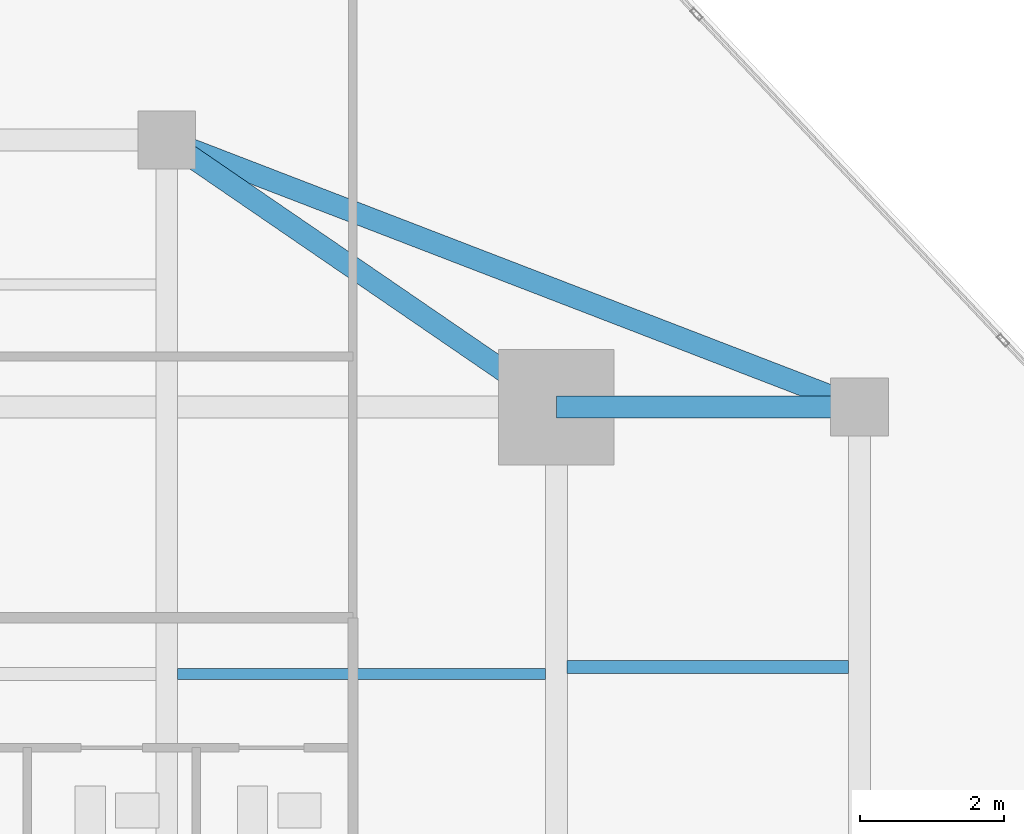
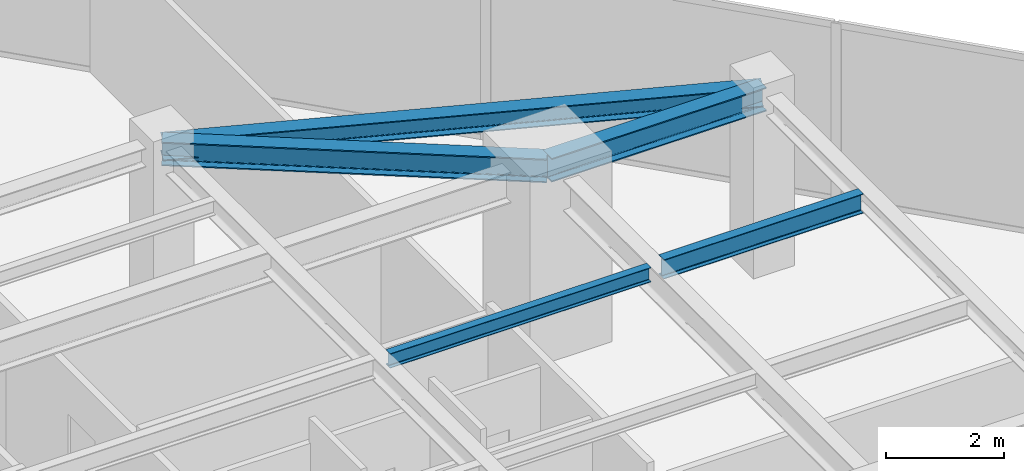
# One storey, part 17 of 24: 5 beams.
"""IFC4 building model written with IfcOpenShell, lengths in metres."""

import ifcopenshell
import ifcopenshell.guid

model = None  # the IFC model being written
_history = None  # IfcOwnerHistory: only IFC2X3 demands one
_inside = {}  # id of a spatial element -> (the spatial element, [elements in it])
_under = {}  # id of a project, library or spatial element -> (it, [spatial elements below it])
_declared = {}  # id of a project -> (the project, [libraries it declares])
_typed = {}  # id of a type object -> (the type object, [elements of that type])
_made_of = {}  # id of a material, layer set ... -> (it, [elements and type objects made of it])


def new_model(schema):
    """Start an empty IFC model of exactly this schema.

    Asked for "IFC4X3", IfcOpenShell would pick the latest addendum, in which some entities
    have other attributes; the version numbers below select the first issue.
    IFC2X3 requires an IfcOwnerHistory on every rooted entity: one is made here for all.
    """
    global model, _history
    if schema == "IFC4X3":
        model = ifcopenshell.file(schema_version=(4, 3, 0, 0))
    else:
        model = ifcopenshell.file(schema=schema)
    _inside.clear()
    _under.clear()
    _declared.clear()
    _typed.clear()
    _made_of.clear()
    _history = None
    if model.schema == "IFC2X3":
        org = make("IfcOrganization", Name="unknown")
        user = make(
            "IfcPersonAndOrganization",
            ThePerson=make("IfcPerson", FamilyName="unknown"),
            TheOrganization=org,
        )
        app = make(
            "IfcApplication",
            ApplicationDeveloper=org,
            Version="unknown",
            ApplicationFullName="unknown",
            ApplicationIdentifier="unknown",
        )
        _history = make(
            "IfcOwnerHistory",
            OwningUser=user,
            OwningApplication=app,
            ChangeAction="ADDED",
            CreationDate=0,
        )
    return model


def make(cls, **values):
    """One entity of the class cls with the attributes given. An attribute that is None is left unset."""
    return model.create_entity(
        cls, **{name: value for name, value in values.items() if value is not None}
    )


def rooted(cls, **values):
    """An entity with a GlobalId (a new one), such as an element, a storey or a relation."""
    return make(cls, GlobalId=ifcopenshell.guid.new(), OwnerHistory=_history, **values)


def si_unit(unit_type, name, prefix=None):
    """IfcSIUnit, for example si_unit("LENGTHUNIT", "METRE", prefix="MILLI")."""
    return make("IfcSIUnit", UnitType=unit_type, Prefix=prefix, Name=name)


def assignment(units):
    """IfcUnitAssignment: the units of a project."""
    return None if units is None else make("IfcUnitAssignment", Units=units)


def point(xyz):
    """IfcCartesianPoint."""
    return None if xyz is None else make("IfcCartesianPoint", Coordinates=xyz)


def direction(xyz):
    """IfcDirection."""
    return None if xyz is None else make("IfcDirection", DirectionRatios=xyz)


def frame(location, z_axis=None, x_axis=None):
    """IfcAxis2Placement3D, a coordinate frame: its origin and axes. An axis left out is left unset."""
    return make(
        "IfcAxis2Placement3D",
        Location=point(location),
        Axis=direction(z_axis),
        RefDirection=direction(x_axis),
    )


def frame_2d(location, x_axis=None):
    """IfcAxis2Placement2D, a coordinate frame in the plane: its origin and x axis."""
    return make(
        "IfcAxis2Placement2D", Location=point(location), RefDirection=direction(x_axis)
    )


def origin():
    """The frame at (0, 0, 0) with its axes left unset."""
    return frame((0.0, 0.0, 0.0))


def origin_2d():
    """The frame at (0, 0) in the plane with its x axis left unset."""
    return frame_2d((0.0, 0.0))


def place(relative_to, where):
    """IfcLocalPlacement: puts the frame where relative to a parent placement (None: the world)."""
    return make(
        "IfcLocalPlacement", PlacementRelTo=relative_to, RelativePlacement=where
    )


def context(
    kind, dimensions, precision=None, world=None, true_north=None, identifier=None
):
    """IfcGeometricRepresentationContext, for example the 3D "Model" context."""
    return make(
        "IfcGeometricRepresentationContext",
        ContextIdentifier=identifier,
        ContextType=kind,
        CoordinateSpaceDimension=dimensions,
        Precision=precision,
        WorldCoordinateSystem=world,
        TrueNorth=true_north,
    )


def subcontext(parent, identifier, kind, view, scale=None):
    """IfcGeometricRepresentationSubContext, for example "Body" below "Model"."""
    return make(
        "IfcGeometricRepresentationSubContext",
        ContextIdentifier=identifier,
        ContextType=kind,
        ParentContext=parent,
        TargetScale=scale,
        TargetView=view,
    )


def project(units=None, contexts=None):
    """IfcProject with its units and contexts."""
    return rooted(
        "IfcProject",
        Name="project",
        RepresentationContexts=contexts,
        UnitsInContext=assignment(units),
    )


def spatial(cls, under=None, at=None, **own):
    """A site, building, storey or space (cls), placed at a placement, below another one or the project."""
    s = rooted(cls, ObjectPlacement=at, **own)
    if under is not None:
        _under.setdefault(under.id(), (under, []))[1].append(s)
    return s


def profile(cls, at=None, kind="AREA", **sizes):
    """A parametric profile (cls). Its sizes go by their IFC names, for example OverallWidth=200.0."""
    return make(cls, ProfileType=kind, Position=at, **sizes)


def i_section(**sizes):
    """IfcIShapeProfileDef."""
    return profile("IfcIShapeProfileDef", **sizes)


def extrude(swept, where, along, depth):
    """IfcExtrudedAreaSolid: the profile swept, set in the frame where, extruded along a direction by depth."""
    return make(
        "IfcExtrudedAreaSolid",
        SweptArea=swept,
        Position=where,
        ExtrudedDirection=direction(along),
        Depth=depth,
    )


def shape(context_of_items, identifier, shape_type, items):
    """IfcShapeRepresentation: the items that make up one representation, for example the "Body"."""
    return make(
        "IfcShapeRepresentation",
        ContextOfItems=context_of_items,
        RepresentationIdentifier=identifier,
        RepresentationType=shape_type,
        Items=items,
    )


def source(mapping_origin, context_of_items, identifier, shape_type, items):
    """IfcRepresentationMap: a shape defined once, which mapped items show again and again."""
    return make(
        "IfcRepresentationMap",
        MappingOrigin=mapping_origin,
        MappedRepresentation=shape(context_of_items, identifier, shape_type, items),
    )


def transform(
    local_origin,
    x_axis=None,
    y_axis=None,
    z_axis=None,
    scale=None,
    scale2=None,
    scale3=None,
    uniform=True,
):
    """IfcCartesianTransformationOperator3D, or its non-uniform kind. x_axis, y_axis, z_axis: its Axis1, 2, 3."""
    if uniform:
        return make(
            "IfcCartesianTransformationOperator3D",
            Axis1=direction(x_axis),
            Axis2=direction(y_axis),
            LocalOrigin=point(local_origin),
            Scale=scale,
            Axis3=direction(z_axis),
        )
    return make(
        "IfcCartesianTransformationOperator3DnonUniform",
        Axis1=direction(x_axis),
        Axis2=direction(y_axis),
        LocalOrigin=point(local_origin),
        Scale=scale,
        Axis3=direction(z_axis),
        Scale2=scale2,
        Scale3=scale3,
    )


def mapped(mapping_source, mapping_target):
    """IfcMappedItem: shows the shape of a source again, moved by a transform."""
    return make(
        "IfcMappedItem", MappingSource=mapping_source, MappingTarget=mapping_target
    )


def material(Name=None, Category=None):
    """IfcMaterial."""
    return make("IfcMaterial", Name=Name, Category=Category)


def material_profile(
    of_material, cross_section, Name=None, Category=None, Priority=None
):
    """IfcMaterialProfile: a cross section and its material."""
    return make(
        "IfcMaterialProfile",
        Name=Name,
        Material=of_material,
        Profile=cross_section,
        Priority=Priority,
        Category=Category,
    )


def profile_set(profiles, Name=None, composite=None):
    """IfcMaterialProfileSet."""
    return make(
        "IfcMaterialProfileSet",
        Name=Name,
        MaterialProfiles=profiles,
        CompositeProfile=composite,
    )


def made_of(thing, what):
    """Note that an element or type object is made of a material, layer set ...; save() writes the relation."""
    if what is not None:
        _made_of.setdefault(what.id(), (what, []))[1].append(thing)
    return thing


def type_object(cls, material=None, **own):
    """A type object (cls), such as IfcWallType, which elements share."""
    return made_of(rooted(cls, **own), material)


def type_shapes(of_type, sources):
    """Give a type object the sources (RepresentationMaps) that its elements show as mapped items."""
    of_type.RepresentationMaps = sources


def element(
    cls,
    number,
    at=None,
    inside=None,
    cuts=None,
    type_object=None,
    material=None,
    context=None,
    identifier="Body",
    shape_type=None,
    held_by="IfcProductDefinitionShape",
    body=None,
    shapes=None,
    **own,
):
    """One element of the class cls, such as IfcWall. Its Tag is "e" and its number.

    at: its placement. inside: the storey or other place that contains it. cuts: it is an
    opening in that element (IfcRelVoidsElement). A single representation is given by context,
    identifier, shape_type and body (its items); several are given by shapes. held_by: the class
    of the entity that holds the representations. save() writes the other relations.
    """
    e = rooted(cls, Tag="e%d" % number, ObjectPlacement=at, **own)
    if body is not None:
        shapes = [shape(context, identifier, shape_type, body)]
    if shapes is not None:
        e.Representation = make(held_by, Representations=shapes)
    if inside is not None:
        _inside.setdefault(inside.id(), (inside, []))[1].append(e)
    if cuts is not None:
        rooted(
            "IfcRelVoidsElement", RelatingBuildingElement=cuts, RelatedOpeningElement=e
        )
    if type_object is not None:
        _typed.setdefault(type_object.id(), (type_object, []))[1].append(e)
    return made_of(e, material)


def aggregate(whole, parts):
    """IfcRelAggregates: a whole, such as a stair, and the parts it consists of."""
    return rooted("IfcRelAggregates", RelatingObject=whole, RelatedObjects=parts)


def save(model, path):
    """Write the relations noted so far, then the file.

    IfcRelAggregates (storeys below a building ...), IfcRelContainedInSpatialStructure (elements
    in a storey), IfcRelDefinesByType, IfcRelAssociatesMaterial and IfcRelDeclares: one each for
    every whole, place, type object, material and project.
    """
    for whole, parts in _under.values():
        aggregate(whole, parts)
    for where, things in _inside.values():
        rooted(
            "IfcRelContainedInSpatialStructure",
            RelatedElements=things,
            RelatingStructure=where,
        )
    for kind, things in _typed.values():
        rooted("IfcRelDefinesByType", RelatedObjects=things, RelatingType=kind)
    for what, things in _made_of.values():
        rooted("IfcRelAssociatesMaterial", RelatedObjects=things, RelatingMaterial=what)
    for by, libraries in _declared.values():
        rooted("IfcRelDeclares", RelatingContext=by, RelatedDefinitions=libraries)
    model.write(path)


model = new_model("IFC4")

# Units and contexts
model_context = context("Model", 3, precision=1e-05, world=origin(), true_north=direction((0.0, 1.0)))
body_context = subcontext(model_context, "Body", "Model", "MODEL_VIEW")
ifc_project = project(units=[si_unit("LENGTHUNIT", "METRE"), si_unit("AREAUNIT", "SQUARE_METRE"), si_unit("VOLUMEUNIT", "CUBIC_METRE"), si_unit("PLANEANGLEUNIT", "RADIAN"), si_unit("MASSUNIT", "GRAM", prefix="KILO")], contexts=[model_context])

# Site, building, storey
site_placement = place(None, origin())
site = spatial("IfcSite", under=ifc_project, at=site_placement, CompositionType="ELEMENT")
building_placement = place(site_placement, origin())
building = spatial("IfcBuilding", under=site, at=building_placement, Name="Krantzveldt Concourse Tower", CompositionType="ELEMENT")
storey_placement = place(building_placement, frame((0.0, 0.0, 246.800048828125)))
storey = spatial("IfcBuildingStorey", under=building, at=storey_placement, Name="L60", CompositionType="ELEMENT", Elevation=246.800048828125)

# Beams
ifc_material = material(Name="Steel S355JR", Category="steel")
ifc_material_profile_1 = material_profile(ifc_material, i_section(OverallWidth=0.300048828125, OverallDepth=0.389892578125, WebThickness=0.010986328125, FlangeThickness=0.01904296875, FilletRadius=0.027099609375, at=origin_2d()), Name="Steel S355JR", Category="steel")
ifc_profile_set_1 = profile_set([ifc_material_profile_1], Name="Steel S355JR - HEA 400")
beam_type_1 = type_object("IfcBeamType", Name="BM-SP-HEA400", PredefinedType="SPANDREL", material=ifc_profile_set_1)
shared_shape_1 = source(origin(), body_context, "Body", "SweptSolid", [
    extrude(i_section(OverallWidth=0.300048828125, OverallDepth=0.389892578125, WebThickness=0.010986328125, FlangeThickness=0.01904296875, FilletRadius=0.027099609375, at=origin_2d()), origin(), (0.0, 0.0, 1.0), 10.288330078125),
])
type_shapes(beam_type_1, [shared_shape_1])
beam_1_placement = place(storey_placement, frame((41.39990234375, 41.199951171875, 3.474853515625), z_axis=(0.933097690408, -0.359622997257, 0.0), x_axis=(0.359622997257, 0.933097690408, 0.0)))
element("IfcBeam", 1, at=beam_1_placement, inside=storey, type_object=beam_type_1, Name="L60 Tower Girder SP-R05", PredefinedType="SPANDREL", context=body_context, shape_type="MappedRepresentation", body=[
    mapped(shared_shape_1, transform((0.0, 0.0, 0.0), x_axis=(1.0, 0.0, 0.0), y_axis=(0.0, 1.0, 0.0), z_axis=(0.0, 0.0, 1.0), scale=1.0)),
])
ifc_material_profile_2 = material_profile(ifc_material, i_section(OverallWidth=0.300048828125, OverallDepth=0.489990234375, WebThickness=0.011962890625, FlangeThickness=0.02294921875, FilletRadius=0.027099609375, at=origin_2d()), Name="Steel S355JR", Category="steel")
ifc_profile_set_2 = profile_set([ifc_material_profile_2], Name="Steel S355JR - HEA 500")
beam_type_2 = type_object("IfcBeamType", Name="BM-B-HEA500", PredefinedType="BEAM", material=ifc_profile_set_2)
shared_shape_2 = source(origin(), body_context, "Body", "SweptSolid", [
    extrude(i_section(OverallWidth=0.300048828125, OverallDepth=0.489990234375, WebThickness=0.011962890625, FlangeThickness=0.02294921875, FilletRadius=0.027099609375, at=origin_2d()), origin(), (0.0, 0.0, 1.0), 4.199951171875),
])
beam_2_placement = place(storey_placement, frame((46.800048828125, 37.5, 3.425048828125), z_axis=(1.0, 0.0, 0.0), x_axis=(0.0, 1.0, 0.0)))
element("IfcBeam", 2, at=beam_2_placement, inside=storey, type_object=beam_type_2, Name="L60 Tower Girder BR-RR3", PredefinedType="BEAM", context=body_context, shape_type="MappedRepresentation", body=[
    mapped(shared_shape_2, transform((0.0, 0.0, 0.0), x_axis=(1.0, 0.0, 0.0), y_axis=(0.0, 1.0, 0.0), z_axis=(0.0, 0.0, 1.0), scale=1.0)),
])
shared_shape_3 = source(origin(), body_context, "Body", "SweptSolid", [
    extrude(i_section(OverallWidth=0.300048828125, OverallDepth=0.489990234375, WebThickness=0.011962890625, FlangeThickness=0.02294921875, FilletRadius=0.027099609375, at=origin_2d()), origin(), (0.0, 0.0, 1.0), 6.546142578125),
])
type_shapes(beam_type_2, [shared_shape_2, shared_shape_3])
beam_3_placement = place(storey_placement, frame((46.800048828125, 37.5, 3.425048828125), z_axis=(-0.824942999484, 0.565215930068, 0.0), x_axis=(-0.565215930068, -0.824942999484, 0.0)))
element("IfcBeam", 3, at=beam_3_placement, inside=storey, type_object=beam_type_2, Name="L60 Tower Girder BR-RR4", PredefinedType="BEAM", context=body_context, shape_type="MappedRepresentation", body=[
    mapped(shared_shape_3, transform((0.0, 0.0, 0.0), x_axis=(1.0, 0.0, 0.0), y_axis=(0.0, 1.0, 0.0), z_axis=(0.0, 0.0, 1.0), scale=1.0)),
])
ifc_material_profile_3 = material_profile(ifc_material, i_section(OverallWidth=0.14990234375, OverallDepth=0.300048828125, WebThickness=0.007080078125, FlangeThickness=0.0107421875, FilletRadius=0.014892578125, at=origin_2d()), Name="Steel S355JR", Category="steel")
ifc_profile_set_3 = profile_set([ifc_material_profile_3], Name="Steel S355JR - IPE 300")
beam_type_3 = type_object("IfcBeamType", Name="BM-J-IPE300", PredefinedType="JOIST", material=ifc_profile_set_3)
shared_shape_4 = source(origin(), body_context, "Body", "SweptSolid", [
    extrude(i_section(OverallWidth=0.14990234375, OverallDepth=0.300048828125, WebThickness=0.007080078125, FlangeThickness=0.0107421875, FilletRadius=0.014892578125, at=origin_2d()), origin(), (0.0, 0.0, 1.0), 5.099853515625),
])
type_shapes(beam_type_3, [shared_shape_4])
beam_4_placement = place(storey_placement, frame((41.550048828125, 33.800048828125, 3.52001953125), z_axis=(1.0, 0.0, 0.0), x_axis=(0.0, 1.0, 0.0)))
element("IfcBeam", 4, at=beam_4_placement, inside=storey, type_object=beam_type_3, Name="L60 Secondary Floor Joist JN-E2", PredefinedType="JOIST", context=body_context, shape_type="MappedRepresentation", body=[
    mapped(shared_shape_4, transform((0.0, 0.0, 0.0), x_axis=(1.0, 0.0, 0.0), y_axis=(0.0, 1.0, 0.0), z_axis=(0.0, 0.0, 1.0), scale=1.0)),
])
ifc_material_profile_4 = material_profile(ifc_material, i_section(OverallWidth=0.179931640625, OverallDepth=0.39990234375, WebThickness=0.008544921875, FlangeThickness=0.013427734375, FilletRadius=0.02099609375, at=origin_2d()), Name="Steel S355JR", Category="steel")
ifc_profile_set_4 = profile_set([ifc_material_profile_4], Name="Steel S355JR - IPE 400")
beam_type_4 = type_object("IfcBeamType", Name="BM-J-IPE400", PredefinedType="JOIST", material=ifc_profile_set_4)
shared_shape_5 = source(origin(), body_context, "Body", "SweptSolid", [
    extrude(i_section(OverallWidth=0.179931640625, OverallDepth=0.39990234375, WebThickness=0.008544921875, FlangeThickness=0.013427734375, FilletRadius=0.02099609375, at=origin_2d()), origin(), (0.0, 0.0, 1.0), 3.900146484375),
])
type_shapes(beam_type_4, [shared_shape_5])
beam_5_placement = place(storey_placement, frame((46.949951171875, 33.89990234375, 3.469970703125), z_axis=(1.0, 0.0, 0.0), x_axis=(0.0, 1.0, 0.0)))
element("IfcBeam", 5, at=beam_5_placement, inside=storey, type_object=beam_type_4, Name="L60 Secondary Floor Joist JE-4", PredefinedType="JOIST", context=body_context, shape_type="MappedRepresentation", body=[
    mapped(shared_shape_5, transform((0.0, 0.0, 0.0), x_axis=(1.0, 0.0, 0.0), y_axis=(0.0, 1.0, 0.0), z_axis=(0.0, 0.0, 1.0), scale=1.0)),
])

save(model, "model.ifc")
